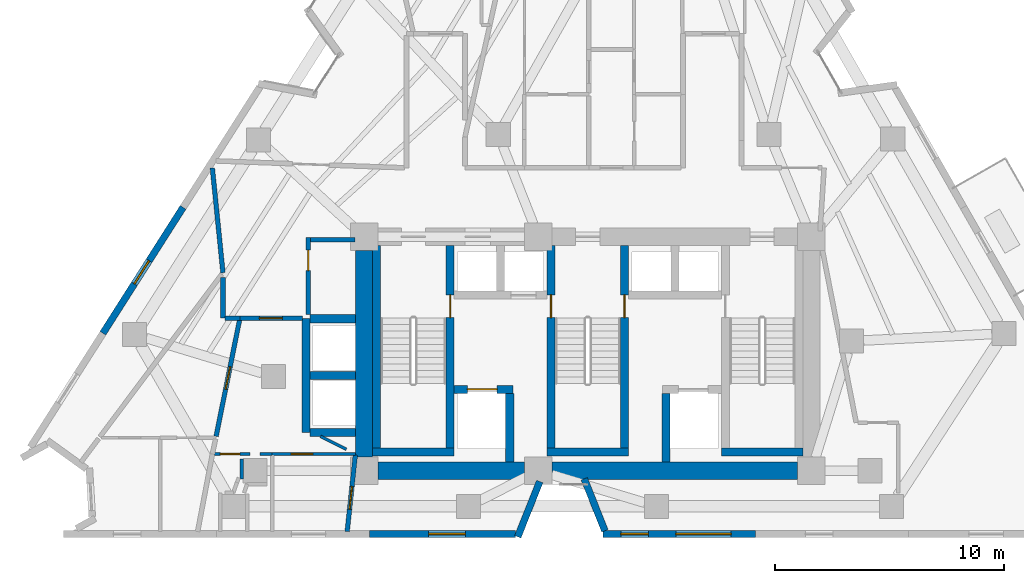
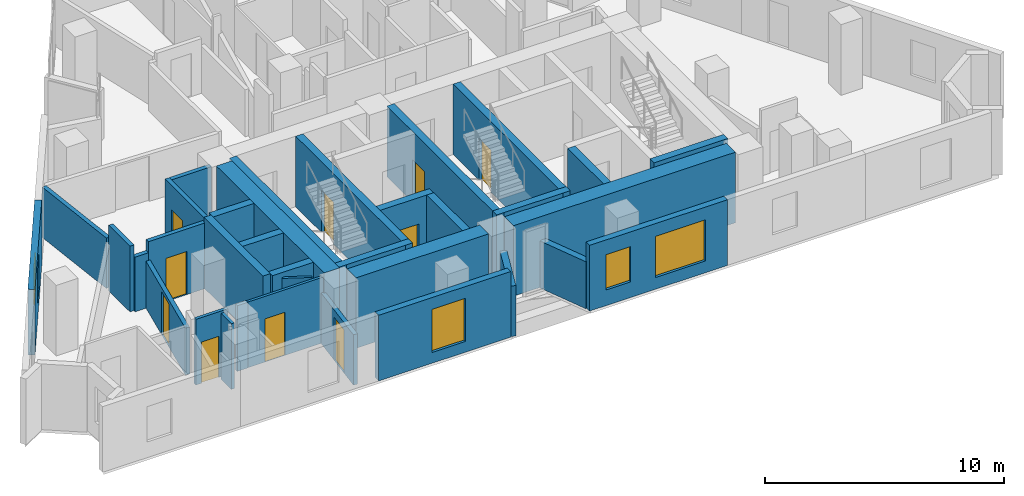
# One storey, part 6 of 11: 35 walls, 10 doors, 4 windows, 14 openings.
"""IFC4 building model written with IfcOpenShell, lengths in metres."""

from ifc_helpers import new_model, si_unit, direction, frame, frame_2d, origin, place, context, subcontext, project, spatial, rectangle, extrude, material, layer, layer_set, type_object, element, fill, save


model = new_model("IFC4")

# Units and contexts
model_context = context("Model", 3, precision=1e-05, world=origin(), true_north=direction((0.0, 1.0)))
body_context = subcontext(model_context, "Body", "Model", "MODEL_VIEW")
ifc_project = project(units=[si_unit("LENGTHUNIT", "METRE"), si_unit("AREAUNIT", "SQUARE_METRE"), si_unit("VOLUMEUNIT", "CUBIC_METRE"), si_unit("PLANEANGLEUNIT", "RADIAN"), si_unit("MASSUNIT", "GRAM", prefix="KILO")], contexts=[model_context])

# Site, building, storey
site_placement = place(None, origin())
site = spatial("IfcSite", under=ifc_project, at=site_placement, CompositionType="ELEMENT")
building_placement = place(site_placement, origin())
building = spatial("IfcBuilding", under=site, at=building_placement, Name="Almagre Mirador Tower", CompositionType="ELEMENT")
storey_placement = place(building_placement, frame((0.0, 0.0, 146.39990234375)))
storey = spatial("IfcBuildingStorey", under=building, at=storey_placement, Name="L37", CompositionType="ELEMENT", Elevation=146.39990234375)

# Wall, openings, windows
ifc_material_1 = material(Name="Precast concrete C50/60", Category="concrete")
ifc_layer_1 = layer(ifc_material_1, 0.300048828125)
ifc_layer_set_1 = layer_set([ifc_layer_1], Name="Precast concrete C50/60")
wall_type_1 = type_object("IfcWallType", Name="WAL-EXT-300", PredefinedType="SOLIDWALL", material=ifc_layer_set_1)
wall_1_placement = place(storey_placement, frame((44.6201171875, 1.800048828125, 0.0), z_axis=(0.0, 0.0, 1.0), x_axis=(-1.0, 0.0, 0.0)))
wall_1 = element("IfcWall", 1, at=wall_1_placement, inside=storey, type_object=wall_type_1, Name="L37 expressed almagre precast frame wall 23", PredefinedType="SOLIDWALL", context=body_context, shape_type="SweptSolid", body=[
    extrude(rectangle(XDim=6.66015625, YDim=0.300048828125, at=frame_2d((3.330078125, 0.0))), origin(), (0.0, 0.0, 1.0), 3.35009765625),
])
opening_1_placement = place(wall_1_placement, frame((4.675048828125, 0.0, 0.800048828125)))
opening_1 = element("IfcOpeningElement", 2, at=opening_1_placement, cuts=wall_1, Name="Opening WN-04", PredefinedType="OPENING", context=body_context, shape_type="SweptSolid", body=[
    extrude(rectangle(XDim=1.199951171875, YDim=1.800048828125, at=frame_2d((0.60009765625, 0.89990234375))), frame((0.0, 0.159902, 0.0), z_axis=(0.0, -1.0, 0.0), x_axis=(1.0, 0.0, 0.0)), (0.0, 0.0, 1.0), 0.320049),
])
opening_2_placement = place(wall_1_placement, frame((1.074951171875, 0.0, 0.60009765625)))
opening_2 = element("IfcOpeningElement", 3, at=opening_2_placement, cuts=wall_1, Name="Opening WN-02", PredefinedType="OPENING", context=body_context, shape_type="SweptSolid", body=[
    extrude(rectangle(XDim=2.39990234375, YDim=2.10009765625, at=frame_2d((1.199951171875, 1.050048828125))), frame((0.0, 0.159902, 0.0), z_axis=(0.0, -1.0, 0.0), x_axis=(1.0, 0.0, 0.0)), (0.0, 0.0, 1.0), 0.320049),
])
ifc_material_2 = material(Name="Dark solar-control laminated hurricane glass", Category="glass")
window_type_1 = type_object("IfcWindowType", Name="WIN-1200X1800", PartitioningType="SINGLE_PANEL", PredefinedType="WINDOW", material=ifc_material_2)
window_1_placement = place(opening_1_placement, origin())
window_1 = element("IfcWindow", 4, at=window_1_placement, inside=storey, type_object=window_type_1, Name="L37 recessed hurricane window L37-UC-ST", OverallHeight=1.800048828125, OverallWidth=1.199951171875, PartitioningType="SINGLE_PANEL", PredefinedType="WINDOW", context=body_context, shape_type="SweptSolid", body=[
    extrude(rectangle(XDim=1.199951171875, YDim=1.800048828125, at=frame_2d((0.60009765625, 0.89990234375))), frame((0.0, 0.030029296875, 0.0), z_axis=(0.0, -1.0, 0.0), x_axis=(1.0, 0.0, 0.0)), (0.0, 0.0, 1.0), 0.06005859375),
])
fill(opening_1, window_1)
ifc_material_3 = material(Name="Dark solar-control laminated hurricane glass", Category="glass")
window_type_2 = type_object("IfcWindowType", Name="WIN-2400X2100", PartitioningType="TRIPLE_PANEL_VERTICAL", PredefinedType="WINDOW", material=ifc_material_3)
window_2_placement = place(opening_2_placement, origin())
window_2 = element("IfcWindow", 5, at=window_2_placement, inside=storey, type_object=window_type_2, Name="L37 recessed hurricane window L37-UC-KT", OverallHeight=2.10009765625, OverallWidth=2.39990234375, PartitioningType="SINGLE_PANEL", PredefinedType="WINDOW", context=body_context, shape_type="SweptSolid", body=[
    extrude(rectangle(XDim=2.39990234375, YDim=2.10009765625, at=frame_2d((1.199951171875, 1.050048828125))), frame((0.0, 0.030029296875, 0.0), z_axis=(0.0, -1.0, 0.0), x_axis=(1.0, 0.0, 0.0)), (0.0, 0.0, 1.0), 0.06005859375),
])
fill(opening_2, window_2)

# Walls
wall_2_placement = place(storey_placement, frame((38.048095703125, 1.93017578125, 0.0), z_axis=(0.0, 0.0, 1.0), x_axis=(-0.369476217581, 0.929240186734, 0.0)))
element("IfcWall", 6, at=wall_2_placement, inside=storey, type_object=wall_type_1, Name="L37 expressed almagre precast frame wall 24", PredefinedType="SOLIDWALL", context=body_context, shape_type="SweptSolid", body=[
    extrude(rectangle(XDim=2.441650390625, YDim=0.300048828125, at=frame_2d((1.220703125, 0.0))), origin(), (0.0, 0.0, 1.0), 2.398193359375),
])
wall_3_placement = place(storey_placement, frame((35.206787109375, 4.080078125, 0.0), z_axis=(0.0, 0.0, 1.0), x_axis=(-0.369539870332, -0.929214875169, 0.0)))
element("IfcWall", 7, at=wall_3_placement, inside=storey, type_object=wall_type_1, Name="L37 expressed almagre precast frame wall 25", PredefinedType="SOLIDWALL", context=body_context, shape_type="SweptSolid", body=[
    extrude(rectangle(XDim=2.59375, YDim=0.300048828125, at=frame_2d((1.296875, 0.0))), origin(), (0.0, 0.0, 1.0), 2.5751953125),
])

# Wall, opening, window
wall_4_placement = place(storey_placement, frame((34.159912109375, 1.800048828125, 0.0), z_axis=(0.0, 0.0, 1.0), x_axis=(-1.0, 0.0, 0.0)))
wall_4 = element("IfcWall", 8, at=wall_4_placement, inside=storey, type_object=wall_type_1, Name="L37 expressed almagre precast frame wall 26", PredefinedType="SOLIDWALL", context=body_context, shape_type="SweptSolid", body=[
    extrude(rectangle(XDim=6.3798828125, YDim=0.300048828125, at=frame_2d((3.18994140625, 0.0))), origin(), (0.0, 0.0, 1.0), 3.35009765625),
])
opening_3_placement = place(wall_4_placement, frame((2.195068359375, 0.0, 0.550048828125)))
opening_3 = element("IfcOpeningElement", 9, at=opening_3_placement, cuts=wall_4, Name="Opening WN-06", PredefinedType="OPENING", context=body_context, shape_type="SweptSolid", body=[
    extrude(rectangle(XDim=1.60009765625, YDim=2.199951171875, at=frame_2d((0.800048828125, 1.10009765625))), frame((0.0, 0.159902, 0.0), z_axis=(0.0, -1.0, 0.0), x_axis=(1.0, 0.0, 0.0)), (0.0, 0.0, 1.0), 0.320049),
])
ifc_material_4 = material(Name="Dark solar-control laminated hurricane glass", Category="glass")
window_type_3 = type_object("IfcWindowType", Name="WIN-1600X2200", PartitioningType="DOUBLE_PANEL_VERTICAL", PredefinedType="WINDOW", material=ifc_material_4)
window_3_placement = place(opening_3_placement, origin())
window_3 = element("IfcWindow", 10, at=window_3_placement, inside=storey, type_object=window_type_3, Name="L37 recessed hurricane window L37-UC-ST", OverallHeight=2.199951171875, OverallWidth=1.60009765625, PartitioningType="SINGLE_PANEL", PredefinedType="WINDOW", context=body_context, shape_type="SweptSolid", body=[
    extrude(rectangle(XDim=1.60009765625, YDim=2.199951171875, at=frame_2d((0.800048828125, 1.10009765625))), frame((0.0, 0.030029296875, 0.0), z_axis=(0.0, -1.0, 0.0), x_axis=(1.0, 0.0, 0.0)), (0.0, 0.0, 1.0), 0.06005859375),
])
fill(opening_3, window_3)

wall_5_placement = place(storey_placement, frame((16.167236328125, 10.542236328125, 0.0), z_axis=(0.0, 0.0, 1.0), x_axis=(0.537089204025, 0.843525451258, 0.0)))
wall_5 = element("IfcWall", 11, at=wall_5_placement, inside=storey, type_object=wall_type_1, Name="L37 expressed almagre precast frame wall 34", PredefinedType="SOLIDWALL", context=body_context, shape_type="SweptSolid", body=[
    extrude(rectangle(XDim=6.50439453125, YDim=0.300048828125, at=frame_2d((3.252197265625, 0.0))), origin(), (0.0, 0.0, 1.0), 3.35009765625),
])
opening_4_placement = place(wall_5_placement, frame((2.550048828125, 0.0, 0.800048828125)))
opening_4 = element("IfcOpeningElement", 12, at=opening_4_placement, cuts=wall_5, Name="Opening WN-04", PredefinedType="OPENING", context=body_context, shape_type="SweptSolid", body=[
    extrude(rectangle(XDim=1.199951171875, YDim=1.800048828125, at=frame_2d((0.60009765625, 0.89990234375))), frame((0.0, 0.159902, 0.0), z_axis=(0.0, -1.0, 0.0), x_axis=(1.0, 0.0, 0.0)), (0.0, 0.0, 1.0), 0.320049),
])
window_4_placement = place(opening_4_placement, origin())
window_4 = element("IfcWindow", 13, at=window_4_placement, inside=storey, type_object=window_type_1, Name="L37 recessed hurricane window L37-RST-F", OverallHeight=1.800048828125, OverallWidth=1.199951171875, PartitioningType="SINGLE_PANEL", PredefinedType="WINDOW", context=body_context, shape_type="SweptSolid", body=[
    extrude(rectangle(XDim=1.199951171875, YDim=1.800048828125, at=frame_2d((0.60009765625, 0.89990234375))), frame((0.0, 0.030029296875, 0.0), z_axis=(0.0, -1.0, 0.0), x_axis=(1.0, 0.0, 0.0)), (0.0, 0.0, 1.0), 0.06005859375),
])
fill(opening_4, window_4)

# Wall, opening, door
ifc_material_5 = material(Name="Gypsum acoustic stud partition", Category="other")
ifc_layer_2 = layer(ifc_material_5, 0.125)
ifc_layer_set_2 = layer_set([ifc_layer_2], Name="Gypsum acoustic stud partition")
wall_type_2 = type_object("IfcWallType", Name="WAL-PRT-125-UTL", PredefinedType="PARTITIONING", material=ifc_layer_set_2)
wall_6_placement = place(storey_placement, frame((23.5400390625, 5.280029296875, 0.0), z_axis=(0.0, 0.0, 1.0), x_axis=(1.0, 0.0, 0.0)))
wall_6 = element("IfcWall", 14, at=wall_6_placement, inside=storey, type_object=wall_type_2, Name="L37 interior partition 030", PredefinedType="PARTITIONING", context=body_context, shape_type="SweptSolid", body=[
    extrude(rectangle(XDim=3.635009765625, YDim=0.125, at=frame_2d((1.8173828125, 0.0))), origin(), (0.0, 0.0, 1.0), 3.35009765625),
])
opening_5_placement = place(wall_6_placement, frame((0.8271484375, 0.0, 0.0)))
opening_5 = element("IfcOpeningElement", 15, at=opening_5_placement, cuts=wall_6, Name="Opening UD-01", PredefinedType="OPENING", context=body_context, shape_type="SweptSolid", body=[
    extrude(rectangle(XDim=0.949951171875, YDim=2.199951171875, at=frame_2d((0.47509765625, 1.10009765625))), frame((0.0, 0.0725, 0.0), z_axis=(0.0, -1.0, 0.0), x_axis=(1.0, 0.0, 0.0)), (0.0, 0.0, 1.0), 0.145),
])
ifc_material_6 = material(Name="Solid American walnut timber", Category="wood")
door_type_1 = type_object("IfcDoorType", Name="DOR-UNR-950X2200", OperationType="NOTDEFINED", PredefinedType="DOOR", material=ifc_material_6)
door_1_placement = place(opening_5_placement, origin())
door_1 = element("IfcDoor", 16, at=door_1_placement, inside=storey, type_object=door_type_1, Name="DR-1202 L37 interior door L37-UB-ST to L37-UB-KT", OperationType="SINGLE_SWING_LEFT", OverallHeight=2.199951171875, OverallWidth=0.949951171875, PredefinedType="DOOR", context=body_context, shape_type="SweptSolid", body=[
    extrude(rectangle(XDim=0.949951171875, YDim=2.199951171875, at=frame_2d((0.47509765625, 1.10009765625))), frame((0.0, 0.02490234375, 0.0), z_axis=(0.0, -1.0, 0.0), x_axis=(1.0, 0.0, 0.0)), (0.0, 0.0, 1.0), 0.050048828125),
])
fill(opening_5, door_1)

# Wall
wall_7_placement = place(storey_placement, frame((25.655029296875, 6.05029296875, 0.0), z_axis=(0.0, 0.0, 1.0), x_axis=(0.892014972044, -0.452005851344, 0.0)))
element("IfcWall", 17, at=wall_7_placement, inside=storey, type_object=wall_type_2, Name="L37 interior partition 077", PredefinedType="PARTITIONING", context=body_context, shape_type="SweptSolid", body=[
    extrude(rectangle(XDim=1.26171875, YDim=0.125, at=frame_2d((0.630859375, 0.0))), origin(), (0.0, 0.0, 1.0), 3.35009765625),
])

# Wall, opening, door
ifc_material_7 = material(Name="Gypsum acoustic stud partition", Category="other")
ifc_layer_3 = layer(ifc_material_7, 0.14990234375)
ifc_layer_set_3 = layer_set([ifc_layer_3], Name="Gypsum acoustic stud partition")
wall_type_3 = type_object("IfcWallType", Name="WAL-PRT-150-STD", PredefinedType="PARTITIONING", material=ifc_layer_set_3)
wall_8_placement = place(storey_placement, frame((21.02490234375, 5.280029296875, 0.0), z_axis=(0.0, 0.0, 1.0), x_axis=(1.0, 0.0, 0.0)))
wall_8 = element("IfcWall", 18, at=wall_8_placement, inside=storey, type_object=wall_type_3, Name="L37 interior partition 031", PredefinedType="PARTITIONING", context=body_context, shape_type="SweptSolid", body=[
    extrude(rectangle(XDim=1.55517578125, YDim=0.14990234375, at=frame_2d((0.777587890625, 0.0))), origin(), (0.0, 0.0, 1.0), 3.35009765625),
])
opening_6_placement = place(wall_8_placement, frame((0.259033203125, 0.0, 0.0)))
opening_6 = element("IfcOpeningElement", 19, at=opening_6_placement, cuts=wall_8, Name="Opening UD-04", PredefinedType="OPENING", context=body_context, shape_type="SweptSolid", body=[
    extrude(rectangle(XDim=0.85009765625, YDim=2.10009765625, at=frame_2d((0.425048828125, 1.050048828125))), frame((0.0, 0.084951, 0.0), z_axis=(0.0, -1.0, 0.0), x_axis=(1.0, 0.0, 0.0)), (0.0, 0.0, 1.0), 0.169902),
])
ifc_material_8 = material(Name="Moisture-resistant oak timber", Category="wood")
door_type_2 = type_object("IfcDoorType", Name="DOR-UNR-850X2100", OperationType="NOTDEFINED", PredefinedType="DOOR", material=ifc_material_8)
door_2_placement = place(opening_6_placement, origin())
door_2 = element("IfcDoor", 20, at=door_2_placement, inside=storey, type_object=door_type_2, Name="DR-1203 L37 interior door L37-UB-ST to L37-UB-BT", OperationType="SINGLE_SWING_RIGHT", OverallHeight=2.10009765625, OverallWidth=0.85009765625, PredefinedType="DOOR", context=body_context, shape_type="SweptSolid", body=[
    extrude(rectangle(XDim=0.85009765625, YDim=2.10009765625, at=frame_2d((0.425048828125, 1.050048828125))), frame((0.0, 0.02490234375, 0.0), z_axis=(0.0, -1.0, 0.0), x_axis=(1.0, 0.0, 0.0)), (0.0, 0.0, 1.0), 0.050048828125),
])
fill(opening_6, door_2)

# Walls
wall_9_placement = place(storey_placement, frame((23.02001953125, 5.280029296875, 0.0), z_axis=(0.0, 0.0, 1.0), x_axis=(1.0, 0.0, 0.0)))
element("IfcWall", 21, at=wall_9_placement, inside=storey, type_object=wall_type_3, Name="L37 interior partition 032", PredefinedType="PARTITIONING", context=body_context, shape_type="SweptSolid", body=[
    extrude(rectangle(XDim=0.52001953125, YDim=0.14990234375, at=frame_2d((0.260009765625, 0.0))), origin(), (0.0, 0.0, 1.0), 3.35009765625),
])
wall_10_placement = place(storey_placement, frame((22.219970703125, 4.18994140625, 0.0), z_axis=(0.0, 0.0, 1.0), x_axis=(0.0, 1.0, 0.0)))
element("IfcWall", 22, at=wall_10_placement, inside=storey, type_object=wall_type_3, Name="L37 interior partition 086", PredefinedType="PARTITIONING", context=body_context, shape_type="SweptSolid", body=[
    extrude(rectangle(XDim=0.875, YDim=0.14990234375, at=frame_2d((0.4375, 0.0))), origin(), (0.0, 0.0, 1.0), 3.35009765625),
])

# Wall, opening, door
ifc_material_9 = material(Name="Gypsum acoustic stud partition", Category="other")
ifc_layer_4 = layer(ifc_material_9, 0.199951171875)
ifc_layer_set_4 = layer_set([ifc_layer_4], Name="Gypsum acoustic stud partition")
wall_type_4 = type_object("IfcWallType", Name="WAL-PRT-200-EI60", PredefinedType="PARTITIONING", material=ifc_layer_set_4)
wall_11_placement = place(storey_placement, frame((25.1201171875, 11.3701171875, 0.0), z_axis=(0.0, 0.0, 1.0), x_axis=(0.0, 1.0, 0.0)))
wall_11 = element("IfcWall", 23, at=wall_11_placement, inside=storey, type_object=wall_type_4, Name="L37 core ancillary west wall", PredefinedType="PARTITIONING", context=body_context, shape_type="SweptSolid", body=[
    extrude(rectangle(XDim=3.33984375, YDim=0.199951171875, at=frame_2d((1.669921875, 0.0))), origin(), (0.0, 0.0, 1.0), 3.35009765625),
])
opening_7_placement = place(wall_11_placement, frame((1.89990234375, 0.0, 0.0)))
opening_7 = element("IfcOpeningElement", 24, at=opening_7_placement, cuts=wall_11, Name="Opening ID-03", PredefinedType="OPENING", context=body_context, shape_type="SweptSolid", body=[
    extrude(rectangle(XDim=0.89990234375, YDim=2.10009765625, at=frame_2d((0.449951171875, 1.050048828125))), frame((0.0, 0.110098, 0.0), z_axis=(0.0, -1.0, 0.0), x_axis=(1.0, 0.0, 0.0)), (0.0, 0.0, 1.0), 0.219951),
])
ifc_material_10 = material(Name="Fire-rated hollow steel", Category="steel")
door_type_3 = type_object("IfcDoorType", Name="DOR-FD60-900X2100", OperationType="NOTDEFINED", PredefinedType="DOOR", material=ifc_material_10)
door_3_placement = place(opening_7_placement, origin())
door_3 = element("IfcDoor", 25, at=door_3_placement, inside=storey, type_object=door_type_3, Name="DR-1192 L37 core ancillary corridor door", OperationType="SINGLE_SWING_LEFT", OverallHeight=2.10009765625, OverallWidth=0.89990234375, PredefinedType="DOOR", context=body_context, shape_type="SweptSolid", body=[
    extrude(rectangle(XDim=0.89990234375, YDim=2.10009765625, at=frame_2d((0.449951171875, 1.050048828125))), frame((0.0, 0.02490234375, 0.0), z_axis=(0.0, -1.0, 0.0), x_axis=(1.0, 0.0, 0.0)), (0.0, 0.0, 1.0), 0.050048828125),
])
fill(opening_7, door_3)

# Walls
wall_12_placement = place(storey_placement, frame((25.22509765625, 14.6201171875, 0.0), z_axis=(0.0, 0.0, 1.0), x_axis=(1.0, 0.0, 0.0)))
element("IfcWall", 26, at=wall_12_placement, inside=storey, type_object=wall_type_4, Name="L37 core ancillary north wall", PredefinedType="PARTITIONING", context=body_context, shape_type="SweptSolid", body=[
    extrude(rectangle(XDim=1.934814453125, YDim=0.199951171875, at=frame_2d((0.96728515625, 0.0))), origin(), (0.0, 0.0, 1.0), 3.35009765625),
])
wall_13_placement = place(storey_placement, frame((21.39990234375, 12.97509765625, 0.0), z_axis=(0.0, 0.0, 1.0), x_axis=(0.0, -1.0, 0.0)))
element("IfcWall", 27, at=wall_13_placement, inside=storey, type_object=wall_type_4, Name="L37 interior partition 001", PredefinedType="PARTITIONING", context=body_context, shape_type="SweptSolid", body=[
    extrude(rectangle(XDim=1.775146484375, YDim=0.199951171875, at=frame_2d((0.8876953125, 0.0))), origin(), (0.0, 0.0, 1.0), 3.35009765625),
])
wall_14_placement = place(storey_placement, frame((21.485107421875, 11.199951171875, 0.0), z_axis=(0.0, 0.0, 1.0), x_axis=(1.0, 0.0, 0.0)))
element("IfcWall", 28, at=wall_14_placement, inside=storey, type_object=wall_type_4, Name="L37 interior partition 002", PredefinedType="PARTITIONING", context=body_context, shape_type="SweptSolid", body=[
    extrude(rectangle(XDim=0.65478515625, YDim=0.199951171875, at=frame_2d((0.327392578125, 0.0))), origin(), (0.0, 0.0, 1.0), 2.787109375),
])

# Wall, opening, door
wall_15_placement = place(storey_placement, frame((22.139892578125, 11.199951171875, 0.0), z_axis=(0.0, 0.0, 1.0), x_axis=(1.0, 0.0, 0.0)))
wall_15 = element("IfcWall", 29, at=wall_15_placement, inside=storey, type_object=wall_type_4, Name="L37 interior partition 003", PredefinedType="PARTITIONING", context=body_context, shape_type="SweptSolid", body=[
    extrude(rectangle(XDim=2.729248046875, YDim=0.199951171875, at=frame_2d((1.36474609375, 0.0))), origin(), (0.0, 0.0, 1.0), 3.35009765625),
])
opening_8_placement = place(wall_15_placement, frame((0.84619140625, 0.0, 0.0)))
opening_8 = element("IfcOpeningElement", 30, at=opening_8_placement, cuts=wall_15, Name="Opening ID-01", PredefinedType="OPENING", context=body_context, shape_type="SweptSolid", body=[
    extrude(rectangle(XDim=1.0, YDim=2.199951171875, at=frame_2d((0.5, 1.10009765625))), frame((0.0, 0.110098, 0.0), z_axis=(0.0, -1.0, 0.0), x_axis=(1.0, 0.0, 0.0)), (0.0, 0.0, 1.0), 0.219951),
])
ifc_material_11 = material(Name="Fire-rated walnut timber", Category="wood")
door_type_4 = type_object("IfcDoorType", Name="DOR-FD60-1000X2200", OperationType="NOTDEFINED", PredefinedType="DOOR", material=ifc_material_11)
door_4_placement = place(opening_8_placement, origin())
door_4 = element("IfcDoor", 31, at=door_4_placement, inside=storey, type_object=door_type_4, Name="DR-1201 L37 interior door L37-RCOR to L37-UB-ST", OperationType="SINGLE_SWING_RIGHT", OverallHeight=2.199951171875, OverallWidth=1.0, PredefinedType="DOOR", context=body_context, shape_type="SweptSolid", body=[
    extrude(rectangle(XDim=1.0, YDim=2.199951171875, at=frame_2d((0.5, 1.10009765625))), frame((0.0, 0.02490234375, 0.0), z_axis=(0.0, -1.0, 0.0), x_axis=(1.0, 0.0, 0.0)), (0.0, 0.0, 1.0), 0.050048828125),
])
fill(opening_8, door_4)

# Wall
wall_16_placement = place(storey_placement, frame((20.93798828125, 17.743896484375, 0.0), z_axis=(0.0, 0.0, 1.0), x_axis=(0.100694538304, -0.994917388508, 0.0)))
element("IfcWall", 32, at=wall_16_placement, inside=storey, type_object=wall_type_4, Name="L37 interior partition 010", PredefinedType="PARTITIONING", context=body_context, shape_type="SweptSolid", body=[
    extrude(rectangle(XDim=4.587158203125, YDim=0.199951171875, at=frame_2d((2.29345703125, 0.0))), origin(), (0.0, 0.0, 1.0), 2.570068359375),
])

# Wall, opening, door
wall_17_placement = place(storey_placement, frame((21.101806640625, 6.048828125, 0.0), z_axis=(0.0, 0.0, 1.0), x_axis=(0.197587137943, 0.9802853273, 0.0)))
wall_17 = element("IfcWall", 33, at=wall_17_placement, inside=storey, type_object=wall_type_4, Name="L37 interior partition 024", PredefinedType="PARTITIONING", context=body_context, shape_type="SweptSolid", body=[
    extrude(rectangle(XDim=5.169677734375, YDim=0.199951171875, at=frame_2d((2.5849609375, 0.0))), origin(), (0.0, 0.0, 1.0), 2.39306640625),
])
opening_9_placement = place(wall_17_placement, frame((2.097412109375, 0.0, 0.0)))
opening_9 = element("IfcOpeningElement", 34, at=opening_9_placement, cuts=wall_17, Name="Opening ID-01", PredefinedType="OPENING", context=body_context, shape_type="SweptSolid", body=[
    extrude(rectangle(XDim=1.0, YDim=2.199951171875, at=frame_2d((0.5, 1.10009765625))), frame((0.0, 0.110098, 0.0), z_axis=(0.0, -1.0, 0.0), x_axis=(1.0, 0.0, 0.0)), (0.0, 0.0, 1.0), 0.219951),
])
door_5_placement = place(opening_9_placement, origin())
door_5 = element("IfcDoor", 35, at=door_5_placement, inside=storey, type_object=door_type_4, Name="DR-1214 L37 interior door L37-UA-ST to L37-UB-ST", OperationType="SINGLE_SWING_RIGHT", OverallHeight=2.199951171875, OverallWidth=1.0, PredefinedType="DOOR", context=body_context, shape_type="SweptSolid", body=[
    extrude(rectangle(XDim=1.0, YDim=2.199951171875, at=frame_2d((0.5, 1.10009765625))), frame((0.0, 0.02490234375, 0.0), z_axis=(0.0, -1.0, 0.0), x_axis=(1.0, 0.0, 0.0)), (0.0, 0.0, 1.0), 0.050048828125),
])
fill(opening_9, door_5)

wall_18_placement = place(storey_placement, frame((26.81396484375, 1.89892578125, 0.0), z_axis=(0.0, 0.0, 1.0), x_axis=(0.106162893961, 0.994348751669, 0.0)))
wall_18 = element("IfcWall", 36, at=wall_18_placement, inside=storey, type_object=wall_type_4, Name="L37 interior partition 034", PredefinedType="PARTITIONING", context=body_context, shape_type="SweptSolid", body=[
    extrude(rectangle(XDim=3.35302734375, YDim=0.199951171875, at=frame_2d((1.676513671875, 0.0))), origin(), (0.0, 0.0, 1.0), 2.570068359375),
])
opening_10_placement = place(wall_18_placement, frame((0.97509765625, 0.0, 0.0)))
opening_10 = element("IfcOpeningElement", 37, at=opening_10_placement, cuts=wall_18, Name="Opening ID-01", PredefinedType="OPENING", context=body_context, shape_type="SweptSolid", body=[
    extrude(rectangle(XDim=1.0, YDim=2.199951171875, at=frame_2d((0.5, 1.10009765625))), frame((0.0, 0.110098, 0.0), z_axis=(0.0, -1.0, 0.0), x_axis=(1.0, 0.0, 0.0)), (0.0, 0.0, 1.0), 0.219951),
])
door_6_placement = place(opening_10_placement, origin())
door_6 = element("IfcDoor", 38, at=door_6_placement, inside=storey, type_object=door_type_4, Name="DR-1215 L37 interior door L37-UB-KT to L37-UC-ST", OperationType="SINGLE_SWING_LEFT", OverallHeight=2.199951171875, OverallWidth=1.0, PredefinedType="DOOR", context=body_context, shape_type="SweptSolid", body=[
    extrude(rectangle(XDim=1.0, YDim=2.199951171875, at=frame_2d((0.5, 1.10009765625))), frame((0.0, 0.02490234375, 0.0), z_axis=(0.0, -1.0, 0.0), x_axis=(1.0, 0.0, 0.0)), (0.0, 0.0, 1.0), 0.050048828125),
])
fill(opening_10, door_6)

# Wall
ifc_material_12 = material(Name="Concrete C60/75", Category="concrete")
ifc_layer_5 = layer(ifc_material_12, 0.35009765625)
ifc_layer_set_5 = layer_set([ifc_layer_5], Name="Concrete C60/75")
wall_type_5 = type_object("IfcWallType", Name="WAL-SHF-350", PredefinedType="SOLIDWALL", material=ifc_layer_set_5)
wall_19_placement = place(storey_placement, frame((28.10009765625, 5.199951171875, 0.0), z_axis=(0.0, 0.0, 1.0), x_axis=(0.0, 1.0, 0.0)))
element("IfcWall", 39, at=wall_19_placement, inside=storey, type_object=wall_type_5, Name="L37 shaft wall ST1-W", PredefinedType="SOLIDWALL", context=body_context, shape_type="SweptSolid", body=[
    extrude(rectangle(XDim=9.175048828125, YDim=0.35009765625, at=frame_2d((4.58740234375, 0.0))), origin(), (0.0, 0.0, 1.0), 3.60009765625),
])

# Wall, opening, door
wall_20_placement = place(storey_placement, frame((31.300048828125, 5.199951171875, 0.0), z_axis=(0.0, 0.0, 1.0), x_axis=(0.0, 1.0, 0.0)))
wall_20 = element("IfcWall", 40, at=wall_20_placement, inside=storey, type_object=wall_type_5, Name="L37 shaft wall ST1-E", PredefinedType="SOLIDWALL", context=body_context, shape_type="SweptSolid", body=[
    extrude(rectangle(XDim=9.175048828125, YDim=0.35009765625, at=frame_2d((4.58740234375, 0.0))), origin(), (0.0, 0.0, 1.0), 3.60009765625),
])
opening_11_placement = place(wall_20_placement, frame((6.02001953125, 0.0, 0.0)))
opening_11 = element("IfcOpeningElement", 41, at=opening_11_placement, cuts=wall_20, Name="Opening FD-01", PredefinedType="OPENING", context=body_context, shape_type="SweptSolid", body=[
    extrude(rectangle(XDim=1.0, YDim=2.14990234375, at=frame_2d((0.5, 1.074951171875))), frame((0.0, 0.185049, 0.0), z_axis=(0.0, -1.0, 0.0), x_axis=(1.0, 0.0, 0.0)), (0.0, 0.0, 1.0), 0.370098),
])
ifc_material_13 = material(Name="Fire-rated hollow steel", Category="steel")
door_type_5 = type_object("IfcDoorType", Name="DOR-FFL-1000X2150", OperationType="NOTDEFINED", PredefinedType="DOOR", material=ifc_material_13)
door_7_placement = place(opening_11_placement, origin())
door_7 = element("IfcDoor", 42, at=door_7_placement, inside=storey, type_object=door_type_5, Name="DR-1193 L37 FFL1-ST1 smokeproof door", OperationType="SINGLE_SWING_LEFT", OverallHeight=2.14990234375, OverallWidth=1.0, PredefinedType="DOOR", context=body_context, shape_type="SweptSolid", body=[
    extrude(rectangle(XDim=1.0, YDim=2.14990234375, at=frame_2d((0.5, 1.074951171875))), frame((0.0, 0.02490234375, 0.0), z_axis=(0.0, -1.0, 0.0), x_axis=(1.0, 0.0, 0.0)), (0.0, 0.0, 1.0), 0.050048828125),
])
fill(opening_11, door_7)

# Wall
wall_21_placement = place(storey_placement, frame((27.925048828125, 5.375, 0.0), z_axis=(0.0, 0.0, 1.0), x_axis=(1.0, 0.0, 0.0)))
element("IfcWall", 43, at=wall_21_placement, inside=storey, type_object=wall_type_5, Name="L37 shaft wall ST1-S", PredefinedType="SOLIDWALL", context=body_context, shape_type="SweptSolid", body=[
    extrude(rectangle(XDim=3.550048828125, YDim=0.35009765625, at=frame_2d((1.77490234375, 0.0))), origin(), (0.0, 0.0, 1.0), 3.60009765625),
])

# Wall, opening, door
wall_22_placement = place(storey_placement, frame((35.699951171875, 5.199951171875, 0.0), z_axis=(0.0, 0.0, 1.0), x_axis=(0.0, 1.0, 0.0)))
wall_22 = element("IfcWall", 44, at=wall_22_placement, inside=storey, type_object=wall_type_5, Name="L37 shaft wall ST2-W", PredefinedType="SOLIDWALL", context=body_context, shape_type="SweptSolid", body=[
    extrude(rectangle(XDim=9.175048828125, YDim=0.35009765625, at=frame_2d((4.58740234375, 0.0))), origin(), (0.0, 0.0, 1.0), 3.60009765625),
])
opening_12_placement = place(wall_22_placement, frame((6.02001953125, 0.0, 0.0)))
opening_12 = element("IfcOpeningElement", 45, at=opening_12_placement, cuts=wall_22, Name="Opening FD-01", PredefinedType="OPENING", context=body_context, shape_type="SweptSolid", body=[
    extrude(rectangle(XDim=1.0, YDim=2.14990234375, at=frame_2d((0.5, 1.074951171875))), frame((0.0, 0.185049, 0.0), z_axis=(0.0, -1.0, 0.0), x_axis=(1.0, 0.0, 0.0)), (0.0, 0.0, 1.0), 0.370098),
])
door_8_placement = place(opening_12_placement, origin())
door_8 = element("IfcDoor", 46, at=door_8_placement, inside=storey, type_object=door_type_5, Name="DR-1194 L37 FFL1-ST2 smokeproof door", OperationType="SINGLE_SWING_RIGHT", OverallHeight=2.14990234375, OverallWidth=1.0, PredefinedType="DOOR", context=body_context, shape_type="SweptSolid", body=[
    extrude(rectangle(XDim=1.0, YDim=2.14990234375, at=frame_2d((0.5, 1.074951171875))), frame((0.0, 0.02490234375, 0.0), z_axis=(0.0, -1.0, 0.0), x_axis=(1.0, 0.0, 0.0)), (0.0, 0.0, 1.0), 0.050048828125),
])
fill(opening_12, door_8)

wall_23_placement = place(storey_placement, frame((38.89990234375, 5.199951171875, 0.0), z_axis=(0.0, 0.0, 1.0), x_axis=(0.0, 1.0, 0.0)))
wall_23 = element("IfcWall", 47, at=wall_23_placement, inside=storey, type_object=wall_type_5, Name="L37 shaft wall ST2-E", PredefinedType="SOLIDWALL", context=body_context, shape_type="SweptSolid", body=[
    extrude(rectangle(XDim=9.175048828125, YDim=0.35009765625, at=frame_2d((4.58740234375, 0.0))), origin(), (0.0, 0.0, 1.0), 3.60009765625),
])
opening_13_placement = place(wall_23_placement, frame((6.02001953125, 0.0, 0.0)))
opening_13 = element("IfcOpeningElement", 48, at=opening_13_placement, cuts=wall_23, Name="Opening FD-01", PredefinedType="OPENING", context=body_context, shape_type="SweptSolid", body=[
    extrude(rectangle(XDim=1.0, YDim=2.14990234375, at=frame_2d((0.5, 1.074951171875))), frame((0.0, 0.185049, 0.0), z_axis=(0.0, -1.0, 0.0), x_axis=(1.0, 0.0, 0.0)), (0.0, 0.0, 1.0), 0.370098),
])
door_9_placement = place(opening_13_placement, origin())
door_9 = element("IfcDoor", 49, at=door_9_placement, inside=storey, type_object=door_type_5, Name="DR-1195 L37 FFL2-ST2 smokeproof door", OperationType="SINGLE_SWING_LEFT", OverallHeight=2.14990234375, OverallWidth=1.0, PredefinedType="DOOR", context=body_context, shape_type="SweptSolid", body=[
    extrude(rectangle(XDim=1.0, YDim=2.14990234375, at=frame_2d((0.5, 1.074951171875))), frame((0.0, 0.02490234375, 0.0), z_axis=(0.0, -1.0, 0.0), x_axis=(1.0, 0.0, 0.0)), (0.0, 0.0, 1.0), 0.050048828125),
])
fill(opening_13, door_9)

# Walls
for number, where, z_axis, x_axis, name in (
    (50, (35.52490234375, 5.375, 0.0), (0.0, 0.0, 1.0), (1.0, 0.0, 0.0), "L37 shaft wall ST2-S"),
    (51, (43.125, 5.375, 0.0), (0.0, 0.0, 1.0), (1.0, 0.0, 0.0), "L37 shaft wall ST3-S"),
):
    element("IfcWall", number, at=place(storey_placement, frame(where, z_axis=z_axis, x_axis=x_axis)), inside=storey, type_object=wall_type_5, Name=name, PredefinedType="SOLIDWALL", context=body_context, shape_type="SweptSolid", body=[
        extrude(rectangle(XDim=3.550048828125, YDim=0.35009765625, at=frame_2d((1.77490234375, 0.0))), origin(), (0.0, 0.0, 1.0), 3.60009765625),
    ])

# Wall, opening, door
wall_24_placement = place(storey_placement, frame((31.47509765625, 8.10009765625, 0.0), z_axis=(0.0, 0.0, 1.0), x_axis=(1.0, 0.0, 0.0)))
wall_24 = element("IfcWall", 52, at=wall_24_placement, inside=storey, type_object=wall_type_5, Name="L37 shaft wall FSAE1-N", PredefinedType="SOLIDWALL", context=body_context, shape_type="SweptSolid", body=[
    extrude(rectangle(XDim=2.574951171875, YDim=0.35009765625, at=frame_2d((1.28759765625, 0.0))), origin(), (0.0, 0.0, 1.0), 3.60009765625),
])
opening_14_placement = place(wall_24_placement, frame((0.574951171875, 0.0, 0.0)))
opening_14 = element("IfcOpeningElement", 53, at=opening_14_placement, cuts=wall_24, Name="Opening LD-03", PredefinedType="OPENING", context=body_context, shape_type="SweptSolid", body=[
    extrude(rectangle(XDim=1.300048828125, YDim=2.25, at=frame_2d((0.64990234375, 1.125))), frame((0.0, 0.185049, 0.0), z_axis=(0.0, -1.0, 0.0), x_axis=(1.0, 0.0, 0.0)), (0.0, 0.0, 1.0), 0.370098),
])
ifc_material_14 = material(Name="Hollow stainless steel", Category="steel")
door_type_6 = type_object("IfcDoorType", Name="DOR-LD-1300X2250", OperationType="DOUBLE_DOOR_SLIDING", PredefinedType="DOOR", material=ifc_material_14)
door_10_placement = place(opening_14_placement, origin())
door_10 = element("IfcDoor", 54, at=door_10_placement, inside=storey, type_object=door_type_6, Name="DR-1219 L37 FSAE-1 lift landing door", OperationType="DOUBLE_DOOR_SLIDING", OverallHeight=2.25, OverallWidth=1.300048828125, PredefinedType="DOOR", context=body_context, shape_type="SweptSolid", body=[
    extrude(rectangle(XDim=1.300048828125, YDim=2.25, at=frame_2d((0.64990234375, 1.125))), frame((0.0, 0.02490234375, 0.0), z_axis=(0.0, -1.0, 0.0), x_axis=(1.0, 0.0, 0.0)), (0.0, 0.0, 1.0), 0.050048828125),
])
fill(opening_14, door_10)

# Walls
for number, where, z_axis, x_axis, name in (
    (55, (33.89990234375, 4.925048828125, 0.0), (0.0, 0.0, 1.0), (0.0, 1.0, 0.0), "L37 shaft wall FSAE1-E"),
    (56, (40.699951171875, 4.925048828125, 0.0), (0.0, 0.0, 1.0), (0.0, 1.0, 0.0), "L37 shaft wall FSAE2-W"),
):
    element("IfcWall", number, at=place(storey_placement, frame(where, z_axis=z_axis, x_axis=x_axis)), inside=storey, type_object=wall_type_5, Name=name, PredefinedType="SOLIDWALL", context=body_context, shape_type="SweptSolid", body=[
        extrude(rectangle(XDim=3.0, YDim=0.35009765625, at=frame_2d((1.5, 0.0))), origin(), (0.0, 0.0, 1.0), 3.60009765625),
    ])
wall_25_placement = place(storey_placement, frame((25.02490234375, 6.22509765625, 0.0), z_axis=(0.0, 0.0, 1.0), x_axis=(0.0, 1.0, 0.0)))
element("IfcWall", 57, at=wall_25_placement, inside=storey, type_object=wall_type_5, Name="L37 shaft wall OL-W", PredefinedType="SOLIDWALL", context=body_context, shape_type="SweptSolid", body=[
    extrude(rectangle(XDim=4.949951171875, YDim=0.35009765625, at=frame_2d((2.47509765625, 0.0))), origin(), (0.0, 0.0, 1.0), 3.60009765625),
])
for number, where, z_axis, x_axis, name in (
    (58, (25.199951171875, 6.22509765625, 0.0), (0.0, 0.0, 1.0), (1.0, 0.0, 0.0), "L37 shaft wall OL-S"),
    (59, (25.199951171875, 8.699951171875, 0.0), (0.0, 0.0, 1.0), (1.0, 0.0, 0.0), "L37 shaft wall OL-M"),
    (60, (25.199951171875, 11.175048828125, 0.0), (0.0, 0.0, 1.0), (1.0, 0.0, 0.0), "L37 shaft wall OL-N"),
):
    element("IfcWall", number, at=place(storey_placement, frame(where, z_axis=z_axis, x_axis=x_axis)), inside=storey, type_object=wall_type_5, Name=name, PredefinedType="SOLIDWALL", context=body_context, shape_type="SweptSolid", body=[
        extrude(rectangle(XDim=1.97509765625, YDim=0.35009765625, at=frame_2d((0.987548828125, 0.0))), origin(), (0.0, 0.0, 1.0), 3.60009765625),
    ])
ifc_material_15 = material(Name="Concrete C60/75", Category="concrete")
ifc_layer_6 = layer(ifc_material_15, 0.75)
ifc_layer_set_6 = layer_set([ifc_layer_6], Name="Concrete C60/75")
wall_type_6 = type_object("IfcWallType", Name="WAL-SHR-750", PredefinedType="SHEAR", material=ifc_layer_set_6)
wall_26_placement = place(storey_placement, frame((28.14990234375, 4.550048828125, 0.0), z_axis=(0.0, 0.0, 1.0), x_axis=(1.0, 0.0, 0.0)))
element("IfcWall", 61, at=wall_26_placement, inside=storey, type_object=wall_type_6, Name="L37 core shear wall S1", PredefinedType="SHEAR", context=body_context, shape_type="SweptSolid", body=[
    extrude(rectangle(XDim=6.400146484375, YDim=0.75, at=frame_2d((3.2001953125, 0.0))), origin(), (0.0, 0.0, 1.0), 3.60009765625),
])
wall_27_placement = place(storey_placement, frame((35.75, 4.550048828125, 0.0), z_axis=(0.0, 0.0, 1.0), x_axis=(1.0, 0.0, 0.0)))
element("IfcWall", 62, at=wall_27_placement, inside=storey, type_object=wall_type_6, Name="L37 core shear wall S2", PredefinedType="SHEAR", context=body_context, shape_type="SweptSolid", body=[
    extrude(rectangle(XDim=10.699951171875, YDim=0.75, at=frame_2d((5.35009765625, 0.0))), origin(), (0.0, 0.0, 1.0), 3.60009765625),
])
wall_28_placement = place(storey_placement, frame((27.550048828125, 5.14990234375, 0.0), z_axis=(0.0, 0.0, 1.0), x_axis=(0.0, 1.0, 0.0)))
element("IfcWall", 63, at=wall_28_placement, inside=storey, type_object=wall_type_6, Name="L37 core shear wall W1", PredefinedType="SHEAR", context=body_context, shape_type="SweptSolid", body=[
    extrude(rectangle(XDim=9.0, YDim=0.75, at=frame_2d((4.5, 0.0))), origin(), (0.0, 0.0, 1.0), 3.60009765625),
])

save(model, "model.ifc")
